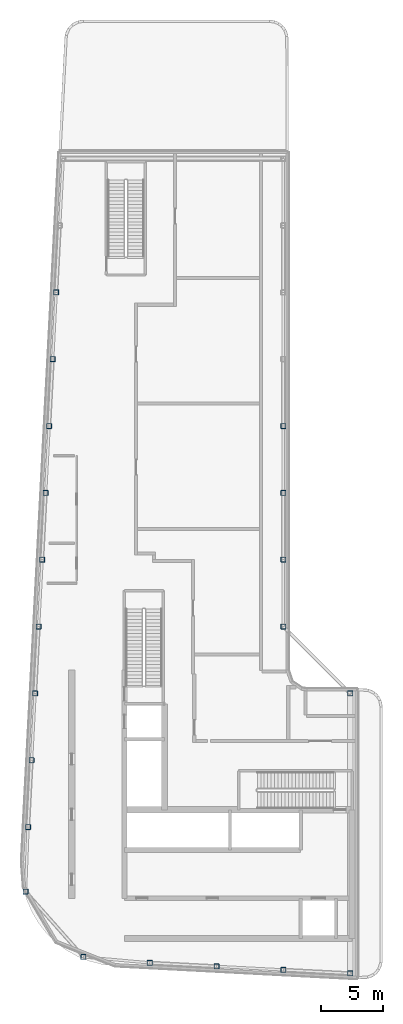
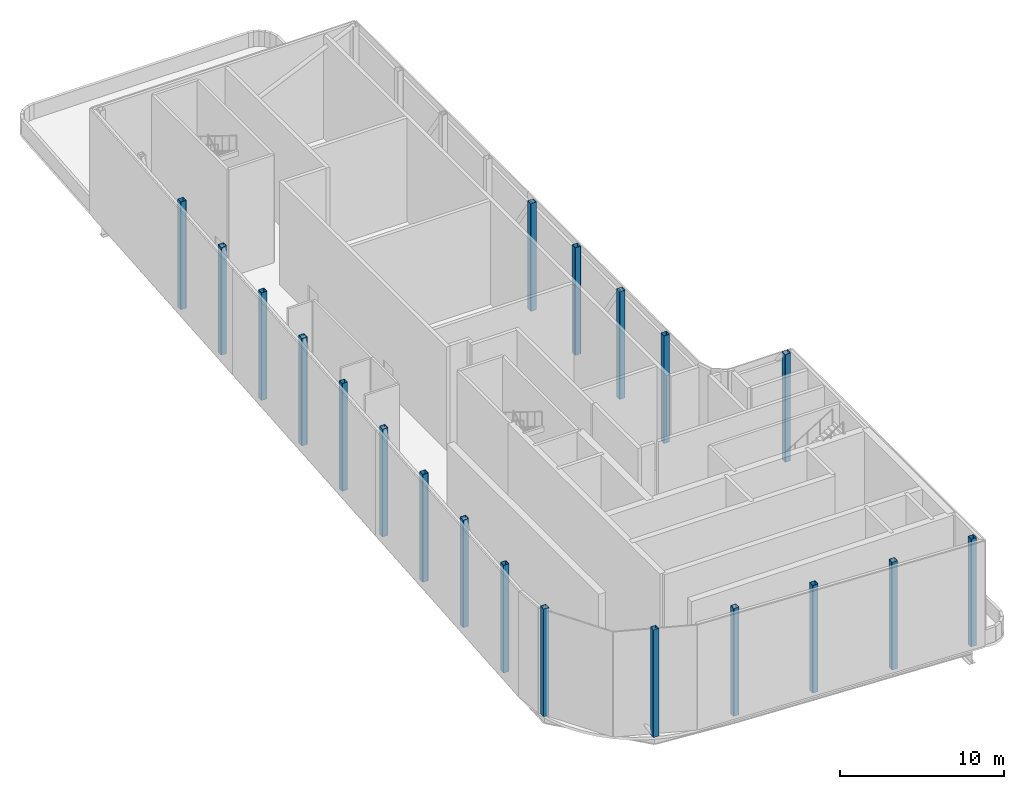
# One storey, part 1 of 10: 20 columns.
"""IFC4 building model written with IfcOpenShell, lengths in metres."""

from ifc_helpers import new_model, si_unit, direction, frame, origin, origin_2d, place, context, subcontext, project, spatial, hollow_rectangle, extrude, material, material_profile, profile_set, type_object, element, save


model = new_model("IFC4")

# Units and contexts
model_context = context("Model", 3, precision=1e-05, world=origin(), true_north=direction((0.0, 1.0)))
body_context = subcontext(model_context, "Body", "Model", "MODEL_VIEW")
ifc_project = project(units=[si_unit("LENGTHUNIT", "METRE"), si_unit("AREAUNIT", "SQUARE_METRE"), si_unit("VOLUMEUNIT", "CUBIC_METRE"), si_unit("PLANEANGLEUNIT", "RADIAN"), si_unit("MASSUNIT", "GRAM", prefix="KILO")], contexts=[model_context])

# Site, building, storey
site_placement = place(None, origin())
site = spatial("IfcSite", under=ifc_project, at=site_placement, CompositionType="ELEMENT")
building_placement = place(site_placement, origin())
building = spatial("IfcBuilding", under=site, at=building_placement, Name="Kheshtan School and Residences Tower", CompositionType="ELEMENT")
storey_placement = place(building_placement, frame((0.0, 0.0, 396.800048828125)))
storey = spatial("IfcBuildingStorey", under=building, at=storey_placement, Name="L93", CompositionType="ELEMENT", Elevation=396.800048828125)

# Columns
ifc_material = material(Name="Steel ASTM A500 Grade C", Category="steel")
ifc_material_profile = material_profile(ifc_material, hollow_rectangle(XDim=0.406005859375, YDim=0.406005859375, WallThickness=0.01904296875, InnerFilletRadius=0.01904296875, OuterFilletRadius=0.0380859375, at=origin_2d()), Name="HSS 406x406x19")
ifc_profile_set = profile_set([ifc_material_profile], Name="Steel ASTM A500 Grade C")
column_type = type_object("IfcColumnType", Name="Column CF1 HSS 406x406x19 ASTM A500 Grade C", PredefinedType="COLUMN", material=ifc_profile_set)
for number, where, z_axis, x_axis, name in (
    (1, (53.0, 22.97998046875, 0.0), (0.0, 0.0, 1.0), (1.0, 0.0, 0.0), "Crown frame post C019"),
    (2, (47.60009765625, 23.263916015625, 0.0), (0.0, 0.0, 1.0), (1.0, 0.0, 0.0), "Crown frame post C020"),
    (3, (42.199951171875, 23.548095703125, 0.0), (0.0, 0.0, 1.0), (1.0, 0.0, 0.0), "Crown frame post C021"),
    (4, (36.800048828125, 23.83203125, 0.0), (0.0, 0.0, 1.0), (1.0, 0.0, 0.0), "Crown frame post C022"),
    (5, (31.447021484375, 24.31005859375, 0.0), (0.0, 0.0, 1.0), (1.0, 0.0, 0.0), "Crown frame post C034"),
    (6, (26.76708984375, 29.58203125, 0.0), (0.0, 0.0, 1.0), (1.0, 0.0, 0.0), "Crown frame post C048"),
    (7, (26.968994140625, 34.800048828125, 0.0), (0.0, 0.0, 1.0), (1.0, 0.0, 0.0), "Crown frame post C052"),
    (8, (27.2529296875, 40.199951171875, 0.0), (0.0, 0.0, 1.0), (1.0, 0.0, 0.0), "Crown frame post C056"),
    (9, (27.537109375, 45.60009765625, 0.0), (0.0, 0.0, 1.0), (1.0, 0.0, 0.0), "Crown frame post C059"),
    (10, (53.0, 45.60009765625, 0.0), (0.0, 0.0, 1.0), (1.0, 0.0, 0.0), "Crown frame post C061"),
    (11, (27.822021484375, 51.0, 0.0), (0.0, 0.0, 1.0), (1.0, 0.0, 0.0), "Crown frame post C078"),
    (12, (47.60009765625, 51.0, 0.0), (0.0, 0.0, 1.0), (1.0, 0.0, 0.0), "Crown frame post C079"),
    (13, (28.10595703125, 56.39990234375, 0.0), (0.0, 0.0, 1.0), (1.0, 0.0, 0.0), "Crown frame post C080"),
    (14, (47.60009765625, 56.39990234375, 0.0), (0.0, 0.0, 1.0), (1.0, 0.0, 0.0), "Crown frame post C081"),
    (15, (28.389892578125, 61.800048828125, 0.0), (0.0, 0.0, 1.0), (1.0, 0.0, 0.0), "Crown frame post C082"),
    (16, (47.60009765625, 61.800048828125, 0.0), (0.0, 0.0, 1.0), (1.0, 0.0, 0.0), "Crown frame post C083"),
    (17, (28.674072265625, 67.199951171875, 0.0), (0.0, 0.0, 1.0), (1.0, 0.0, 0.0), "Crown frame post C084"),
    (18, (47.60009765625, 67.199951171875, 0.0), (0.0, 0.0, 1.0), (1.0, 0.0, 0.0), "Crown frame post C085"),
    (19, (28.9580078125, 72.60009765625, 0.0), (0.0, 0.0, 1.0), (1.0, 0.0, 0.0), "Crown frame post C086"),
    (20, (29.242919921875, 78.0, 0.0), (0.0, 0.0, 1.0), (1.0, 0.0, 0.0), "Crown frame post C088"),
):
    element("IfcColumn", number, at=place(storey_placement, frame(where, z_axis=z_axis, x_axis=x_axis)), inside=storey, type_object=column_type, Name=name, PredefinedType="COLUMN", context=body_context, shape_type="SweptSolid", body=[
        extrude(hollow_rectangle(XDim=0.406005859375, YDim=0.406005859375, WallThickness=0.01904296875, InnerFilletRadius=0.01904296875, OuterFilletRadius=0.0380859375, at=origin_2d()), origin(), (0.0, 0.0, 1.0), 8.0),
    ])

save(model, "model.ifc")
